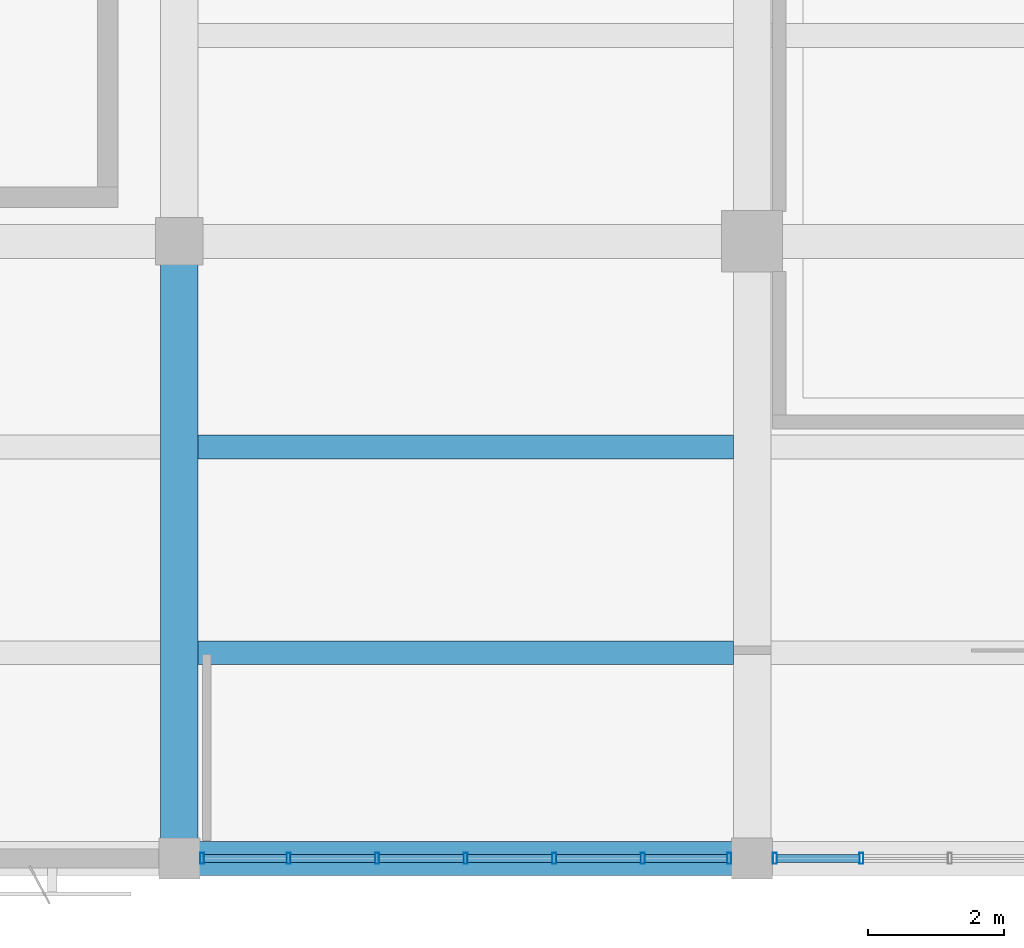
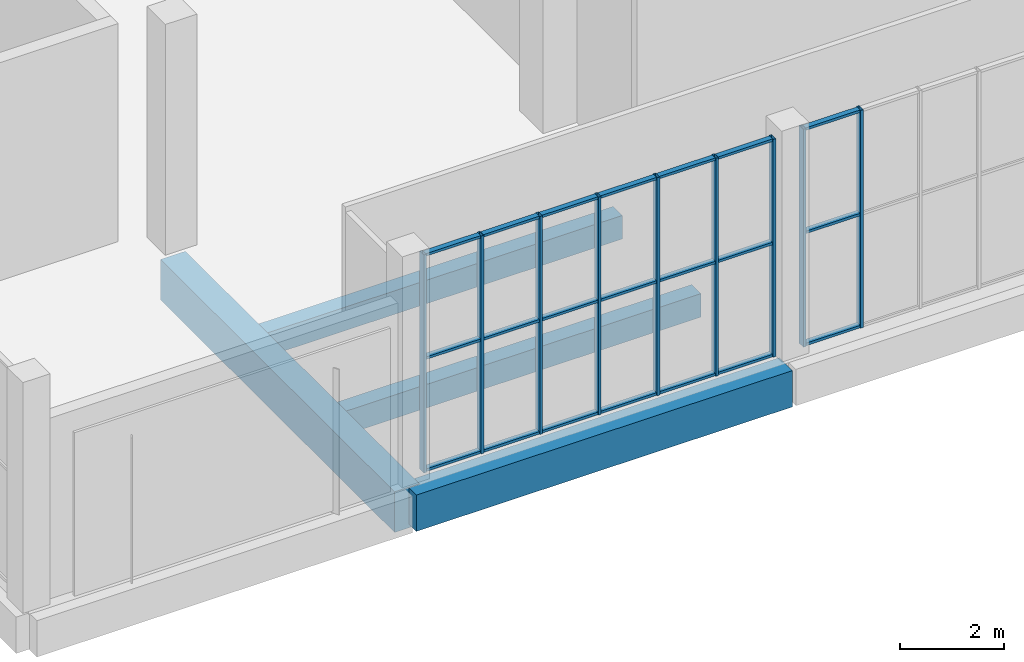
# One storey, part 7 of 132: 30 members, 4 beams, 2 elements without a shape of their own.
"""IFC4 building model written with IfcOpenShell, lengths in metres."""

from ifc_helpers import new_model, si_unit, direction, frame, origin, origin_2d, place, context, subcontext, project, spatial, rectangle, hollow_rectangle, extrude, material, material_profile, profile_set, type_object, element, aggregate, save


model = new_model("IFC4")

# Units and contexts
model_context = context("Model", 3, precision=1e-05, world=origin(), true_north=direction((0.0, 1.0)))
body_context = subcontext(model_context, "Body", "Model", "MODEL_VIEW")
ifc_project = project(units=[si_unit("LENGTHUNIT", "METRE"), si_unit("AREAUNIT", "SQUARE_METRE"), si_unit("VOLUMEUNIT", "CUBIC_METRE"), si_unit("PLANEANGLEUNIT", "RADIAN"), si_unit("MASSUNIT", "GRAM", prefix="KILO")], contexts=[model_context])

# Site, building, storey
site_placement = place(None, origin())
site = spatial("IfcSite", under=ifc_project, at=site_placement, CompositionType="ELEMENT")
building_placement = place(site_placement, origin())
building = spatial("IfcBuilding", under=site, at=building_placement, Name="Khurvash Pelagic Aquarium", CompositionType="ELEMENT")
storey_placement = place(building_placement, frame((0.0, 0.0, 5.39990234375)))
storey = spatial("IfcBuildingStorey", under=building, at=storey_placement, Name="L01", CompositionType="ELEMENT", Elevation=5.39990234375)

# Beam
ifc_material_1 = material(Name="Concrete C40/50", Category="concrete")
ifc_material_profile_1 = material_profile(ifc_material_1, rectangle(XDim=0.550048828125, YDim=0.949951171875, at=origin_2d()), Name="RC550X950")
ifc_profile_set_1 = profile_set([ifc_material_profile_1], Name="Concrete C40/50")
beam_type_1 = type_object("IfcBeamType", Name="BM-02", PredefinedType="BEAM", material=ifc_profile_set_1)
beam_1_placement = place(storey_placement, frame((33.60009765625, 2.639892578125, -0.784912109375), z_axis=(0.0, 1.0, 0.0), x_axis=(-1.0, 0.0, 0.0)))
element("IfcBeam", 1, at=beam_1_placement, inside=storey, type_object=beam_type_1, Name="L01 Primary Girder BM-02 00369", PredefinedType="BEAM", context=body_context, shape_type="SweptSolid", body=[
    extrude(rectangle(XDim=0.550048828125, YDim=0.949951171875, at=origin_2d()), origin(), (0.0, 0.0, 1.0), 8.97021484375),
])

# Curtain wall, members
ifc_material_2 = material(Name="Anodised aluminium and low-E laminated glass", Category="aluminium")
curtain_wall_type = type_object("IfcCurtainWallType", Name="CW-05", PredefinedType="USERDEFINED", material=ifc_material_2)
curtain_wall_1_placement = place(storey_placement, origin())
curtain_wall_1 = element("IfcCurtainWall", 2, at=curtain_wall_1_placement, inside=storey, type_object=curtain_wall_type, Name="L01 Facade Unitised Curtain Wall CW-05 0102", ObjectType="UNITISED CURTAIN WALL", PredefinedType="USERDEFINED")
ifc_material_3 = material(Name="Extruded aluminium AW-6063-T6", Category="aluminium")
ifc_material_profile_2 = material_profile(ifc_material_3, hollow_rectangle(XDim=0.06005859375, YDim=0.159912109375, WallThickness=0.00390625, at=origin_2d()), Name="CWM60X160X4")
ifc_profile_set_2 = profile_set([ifc_material_profile_2], Name="Extruded aluminium AW-6063-T6")
member_type_1 = type_object("IfcMemberType", Name="CM-02", PredefinedType="MULLION", material=ifc_profile_set_2)
member_1_placement = place(storey_placement, frame((33.93505859375, 2.60009765625, 0.0), z_axis=(0.0, 0.0, 1.0), x_axis=(1.0, 0.0, 0.0)))
member_1 = element("IfcMember", 3, at=member_1_placement, type_object=member_type_1, Name="CW-05 mullion 1", PredefinedType="MULLION", context=body_context, shape_type="SweptSolid", body=[
    extrude(hollow_rectangle(XDim=0.06005859375, YDim=0.159912109375, WallThickness=0.00390625, at=origin_2d()), origin(), (0.0, 0.0, 1.0), 5.10009765625),
])
member_2_placement = place(storey_placement, frame((35.203369140625, 2.60009765625, 0.0), z_axis=(0.0, 0.0, 1.0), x_axis=(1.0, 0.0, 0.0)))
member_2 = element("IfcMember", 4, at=member_2_placement, type_object=member_type_1, Name="CW-05 mullion 2", PredefinedType="MULLION", context=body_context, shape_type="SweptSolid", body=[
    extrude(hollow_rectangle(XDim=0.06005859375, YDim=0.159912109375, WallThickness=0.00390625, at=origin_2d()), origin(), (0.0, 0.0, 1.0), 5.10009765625),
])
member_3_placement = place(storey_placement, frame((36.501708984375, 2.60009765625, 0.0), z_axis=(0.0, 0.0, 1.0), x_axis=(1.0, 0.0, 0.0)))
member_3 = element("IfcMember", 5, at=member_3_placement, type_object=member_type_1, Name="CW-05 mullion 3", PredefinedType="MULLION", context=body_context, shape_type="SweptSolid", body=[
    extrude(hollow_rectangle(XDim=0.06005859375, YDim=0.159912109375, WallThickness=0.00390625, at=origin_2d()), origin(), (0.0, 0.0, 1.0), 5.10009765625),
])
member_4_placement = place(storey_placement, frame((37.800048828125, 2.60009765625, 0.0), z_axis=(0.0, 0.0, 1.0), x_axis=(1.0, 0.0, 0.0)))
member_4 = element("IfcMember", 6, at=member_4_placement, type_object=member_type_1, Name="CW-05 mullion 4", PredefinedType="MULLION", context=body_context, shape_type="SweptSolid", body=[
    extrude(hollow_rectangle(XDim=0.06005859375, YDim=0.159912109375, WallThickness=0.00390625, at=origin_2d()), origin(), (0.0, 0.0, 1.0), 5.10009765625),
])
member_5_placement = place(storey_placement, frame((39.098388671875, 2.60009765625, 0.0), z_axis=(0.0, 0.0, 1.0), x_axis=(1.0, 0.0, 0.0)))
member_5 = element("IfcMember", 7, at=member_5_placement, type_object=member_type_1, Name="CW-05 mullion 5", PredefinedType="MULLION", context=body_context, shape_type="SweptSolid", body=[
    extrude(hollow_rectangle(XDim=0.06005859375, YDim=0.159912109375, WallThickness=0.00390625, at=origin_2d()), origin(), (0.0, 0.0, 1.0), 5.10009765625),
])
member_6_placement = place(storey_placement, frame((40.396728515625, 2.60009765625, 0.0), z_axis=(0.0, 0.0, 1.0), x_axis=(1.0, 0.0, 0.0)))
member_6 = element("IfcMember", 8, at=member_6_placement, type_object=member_type_1, Name="CW-05 mullion 6", PredefinedType="MULLION", context=body_context, shape_type="SweptSolid", body=[
    extrude(hollow_rectangle(XDim=0.06005859375, YDim=0.159912109375, WallThickness=0.00390625, at=origin_2d()), origin(), (0.0, 0.0, 1.0), 5.10009765625),
])
member_7_placement = place(storey_placement, frame((41.6650390625, 2.60009765625, 0.0), z_axis=(0.0, 0.0, 1.0), x_axis=(1.0, 0.0, 0.0)))
member_7 = element("IfcMember", 9, at=member_7_placement, type_object=member_type_1, Name="CW-05 mullion 7", PredefinedType="MULLION", context=body_context, shape_type="SweptSolid", body=[
    extrude(hollow_rectangle(XDim=0.06005859375, YDim=0.159912109375, WallThickness=0.00390625, at=origin_2d()), origin(), (0.0, 0.0, 1.0), 5.10009765625),
])

curtain_wall_2_placement = place(storey_placement, origin())
curtain_wall_2 = element("IfcCurtainWall", 10, at=curtain_wall_2_placement, inside=storey, type_object=curtain_wall_type, Name="L01 Facade Unitised Curtain Wall CW-05 0103", ObjectType="UNITISED CURTAIN WALL", PredefinedType="USERDEFINED")
member_8_placement = place(storey_placement, frame((42.3349609375, 2.60009765625, 0.0), z_axis=(0.0, 0.0, 1.0), x_axis=(1.0, 0.0, 0.0)))
member_8 = element("IfcMember", 11, at=member_8_placement, type_object=member_type_1, Name="CW-05 mullion 1", PredefinedType="MULLION", context=body_context, shape_type="SweptSolid", body=[
    extrude(hollow_rectangle(XDim=0.06005859375, YDim=0.159912109375, WallThickness=0.00390625, at=origin_2d()), origin(), (0.0, 0.0, 1.0), 5.10009765625),
])
member_9_placement = place(storey_placement, frame((43.603271484375, 2.60009765625, 0.0), z_axis=(0.0, 0.0, 1.0), x_axis=(1.0, 0.0, 0.0)))
member_9 = element("IfcMember", 12, at=member_9_placement, type_object=member_type_1, Name="CW-05 mullion 2", PredefinedType="MULLION", context=body_context, shape_type="SweptSolid", body=[
    extrude(hollow_rectangle(XDim=0.06005859375, YDim=0.159912109375, WallThickness=0.00390625, at=origin_2d()), origin(), (0.0, 0.0, 1.0), 5.10009765625),
])

# Member
ifc_material_profile_3 = material_profile(ifc_material_3, hollow_rectangle(XDim=0.1201171875, YDim=0.06005859375, WallThickness=0.00390625, at=origin_2d()), Name="CWT120X60X4")
ifc_profile_set_3 = profile_set([ifc_material_profile_3], Name="Extruded aluminium AW-6063-T6")
member_type_2 = type_object("IfcMemberType", Name="CT-02", PredefinedType="USERDEFINED", material=ifc_profile_set_3)
member_10_placement = place(storey_placement, frame((33.965087890625, 2.60009765625, 0.030029296875), z_axis=(1.0, 0.0, 0.0), x_axis=(0.0, 1.0, 0.0)))
member_10 = element("IfcMember", 13, at=member_10_placement, type_object=member_type_2, Name="CW-05 transom 1.1", ObjectType="TRANSOM", PredefinedType="USERDEFINED", context=body_context, shape_type="SweptSolid", body=[
    extrude(hollow_rectangle(XDim=0.1201171875, YDim=0.06005859375, WallThickness=0.00390625, at=origin_2d()), origin(), (0.0, 0.0, 1.0), 1.208251953125),
])

member_11_placement = place(storey_placement, frame((33.965087890625, 2.60009765625, 2.652099609375), z_axis=(1.0, 0.0, 0.0), x_axis=(0.0, 1.0, 0.0)))
member_11 = element("IfcMember", 14, at=member_11_placement, type_object=member_type_2, Name="CW-05 transom 1.2", ObjectType="TRANSOM", PredefinedType="USERDEFINED", context=body_context, shape_type="SweptSolid", body=[
    extrude(hollow_rectangle(XDim=0.1201171875, YDim=0.06005859375, WallThickness=0.00390625, at=origin_2d()), origin(), (0.0, 0.0, 1.0), 1.208251953125),
])

member_12_placement = place(storey_placement, frame((33.965087890625, 2.60009765625, 5.070068359375), z_axis=(1.0, 0.0, 0.0), x_axis=(0.0, 1.0, 0.0)))
member_12 = element("IfcMember", 15, at=member_12_placement, type_object=member_type_2, Name="CW-05 transom 1.3", ObjectType="TRANSOM", PredefinedType="USERDEFINED", context=body_context, shape_type="SweptSolid", body=[
    extrude(hollow_rectangle(XDim=0.1201171875, YDim=0.06005859375, WallThickness=0.00390625, at=origin_2d()), origin(), (0.0, 0.0, 1.0), 1.208251953125),
])

member_13_placement = place(storey_placement, frame((35.2333984375, 2.60009765625, 0.030029296875), z_axis=(1.0, 0.0, 0.0), x_axis=(0.0, 1.0, 0.0)))
member_13 = element("IfcMember", 16, at=member_13_placement, type_object=member_type_2, Name="CW-05 transom 2.1", ObjectType="TRANSOM", PredefinedType="USERDEFINED", context=body_context, shape_type="SweptSolid", body=[
    extrude(hollow_rectangle(XDim=0.1201171875, YDim=0.06005859375, WallThickness=0.00390625, at=origin_2d()), origin(), (0.0, 0.0, 1.0), 1.23828125),
])

member_14_placement = place(storey_placement, frame((35.2333984375, 2.60009765625, 2.652099609375), z_axis=(1.0, 0.0, 0.0), x_axis=(0.0, 1.0, 0.0)))
member_14 = element("IfcMember", 17, at=member_14_placement, type_object=member_type_2, Name="CW-05 transom 2.2", ObjectType="TRANSOM", PredefinedType="USERDEFINED", context=body_context, shape_type="SweptSolid", body=[
    extrude(hollow_rectangle(XDim=0.1201171875, YDim=0.06005859375, WallThickness=0.00390625, at=origin_2d()), origin(), (0.0, 0.0, 1.0), 1.23828125),
])

member_15_placement = place(storey_placement, frame((35.2333984375, 2.60009765625, 5.070068359375), z_axis=(1.0, 0.0, 0.0), x_axis=(0.0, 1.0, 0.0)))
member_15 = element("IfcMember", 18, at=member_15_placement, type_object=member_type_2, Name="CW-05 transom 2.3", ObjectType="TRANSOM", PredefinedType="USERDEFINED", context=body_context, shape_type="SweptSolid", body=[
    extrude(hollow_rectangle(XDim=0.1201171875, YDim=0.06005859375, WallThickness=0.00390625, at=origin_2d()), origin(), (0.0, 0.0, 1.0), 1.23828125),
])

member_16_placement = place(storey_placement, frame((36.53173828125, 2.60009765625, 0.030029296875), z_axis=(1.0, 0.0, 0.0), x_axis=(0.0, 1.0, 0.0)))
member_16 = element("IfcMember", 19, at=member_16_placement, type_object=member_type_2, Name="CW-05 transom 3.1", ObjectType="TRANSOM", PredefinedType="USERDEFINED", context=body_context, shape_type="SweptSolid", body=[
    extrude(hollow_rectangle(XDim=0.1201171875, YDim=0.06005859375, WallThickness=0.00390625, at=origin_2d()), origin(), (0.0, 0.0, 1.0), 1.23828125),
])

member_17_placement = place(storey_placement, frame((36.53173828125, 2.60009765625, 2.652099609375), z_axis=(1.0, 0.0, 0.0), x_axis=(0.0, 1.0, 0.0)))
member_17 = element("IfcMember", 20, at=member_17_placement, type_object=member_type_2, Name="CW-05 transom 3.2", ObjectType="TRANSOM", PredefinedType="USERDEFINED", context=body_context, shape_type="SweptSolid", body=[
    extrude(hollow_rectangle(XDim=0.1201171875, YDim=0.06005859375, WallThickness=0.00390625, at=origin_2d()), origin(), (0.0, 0.0, 1.0), 1.23828125),
])

member_18_placement = place(storey_placement, frame((36.53173828125, 2.60009765625, 5.070068359375), z_axis=(1.0, 0.0, 0.0), x_axis=(0.0, 1.0, 0.0)))
member_18 = element("IfcMember", 21, at=member_18_placement, type_object=member_type_2, Name="CW-05 transom 3.3", ObjectType="TRANSOM", PredefinedType="USERDEFINED", context=body_context, shape_type="SweptSolid", body=[
    extrude(hollow_rectangle(XDim=0.1201171875, YDim=0.06005859375, WallThickness=0.00390625, at=origin_2d()), origin(), (0.0, 0.0, 1.0), 1.23828125),
])

member_19_placement = place(storey_placement, frame((37.830078125, 2.60009765625, 0.030029296875), z_axis=(1.0, 0.0, 0.0), x_axis=(0.0, 1.0, 0.0)))
member_19 = element("IfcMember", 22, at=member_19_placement, type_object=member_type_2, Name="CW-05 transom 4.1", ObjectType="TRANSOM", PredefinedType="USERDEFINED", context=body_context, shape_type="SweptSolid", body=[
    extrude(hollow_rectangle(XDim=0.1201171875, YDim=0.06005859375, WallThickness=0.00390625, at=origin_2d()), origin(), (0.0, 0.0, 1.0), 1.23828125),
])

member_20_placement = place(storey_placement, frame((37.830078125, 2.60009765625, 2.652099609375), z_axis=(1.0, 0.0, 0.0), x_axis=(0.0, 1.0, 0.0)))
member_20 = element("IfcMember", 23, at=member_20_placement, type_object=member_type_2, Name="CW-05 transom 4.2", ObjectType="TRANSOM", PredefinedType="USERDEFINED", context=body_context, shape_type="SweptSolid", body=[
    extrude(hollow_rectangle(XDim=0.1201171875, YDim=0.06005859375, WallThickness=0.00390625, at=origin_2d()), origin(), (0.0, 0.0, 1.0), 1.23828125),
])

member_21_placement = place(storey_placement, frame((37.830078125, 2.60009765625, 5.070068359375), z_axis=(1.0, 0.0, 0.0), x_axis=(0.0, 1.0, 0.0)))
member_21 = element("IfcMember", 24, at=member_21_placement, type_object=member_type_2, Name="CW-05 transom 4.3", ObjectType="TRANSOM", PredefinedType="USERDEFINED", context=body_context, shape_type="SweptSolid", body=[
    extrude(hollow_rectangle(XDim=0.1201171875, YDim=0.06005859375, WallThickness=0.00390625, at=origin_2d()), origin(), (0.0, 0.0, 1.0), 1.23828125),
])

member_22_placement = place(storey_placement, frame((39.12841796875, 2.60009765625, 0.030029296875), z_axis=(1.0, 0.0, 0.0), x_axis=(0.0, 1.0, 0.0)))
member_22 = element("IfcMember", 25, at=member_22_placement, type_object=member_type_2, Name="CW-05 transom 5.1", ObjectType="TRANSOM", PredefinedType="USERDEFINED", context=body_context, shape_type="SweptSolid", body=[
    extrude(hollow_rectangle(XDim=0.1201171875, YDim=0.06005859375, WallThickness=0.00390625, at=origin_2d()), origin(), (0.0, 0.0, 1.0), 1.23828125),
])

member_23_placement = place(storey_placement, frame((39.12841796875, 2.60009765625, 2.652099609375), z_axis=(1.0, 0.0, 0.0), x_axis=(0.0, 1.0, 0.0)))
member_23 = element("IfcMember", 26, at=member_23_placement, type_object=member_type_2, Name="CW-05 transom 5.2", ObjectType="TRANSOM", PredefinedType="USERDEFINED", context=body_context, shape_type="SweptSolid", body=[
    extrude(hollow_rectangle(XDim=0.1201171875, YDim=0.06005859375, WallThickness=0.00390625, at=origin_2d()), origin(), (0.0, 0.0, 1.0), 1.23828125),
])

member_24_placement = place(storey_placement, frame((39.12841796875, 2.60009765625, 5.070068359375), z_axis=(1.0, 0.0, 0.0), x_axis=(0.0, 1.0, 0.0)))
member_24 = element("IfcMember", 27, at=member_24_placement, type_object=member_type_2, Name="CW-05 transom 5.3", ObjectType="TRANSOM", PredefinedType="USERDEFINED", context=body_context, shape_type="SweptSolid", body=[
    extrude(hollow_rectangle(XDim=0.1201171875, YDim=0.06005859375, WallThickness=0.00390625, at=origin_2d()), origin(), (0.0, 0.0, 1.0), 1.23828125),
])

member_25_placement = place(storey_placement, frame((40.4267578125, 2.60009765625, 0.030029296875), z_axis=(1.0, 0.0, 0.0), x_axis=(0.0, 1.0, 0.0)))
member_25 = element("IfcMember", 28, at=member_25_placement, type_object=member_type_2, Name="CW-05 transom 6.1", ObjectType="TRANSOM", PredefinedType="USERDEFINED", context=body_context, shape_type="SweptSolid", body=[
    extrude(hollow_rectangle(XDim=0.1201171875, YDim=0.06005859375, WallThickness=0.00390625, at=origin_2d()), origin(), (0.0, 0.0, 1.0), 1.208251953125),
])

member_26_placement = place(storey_placement, frame((40.4267578125, 2.60009765625, 2.652099609375), z_axis=(1.0, 0.0, 0.0), x_axis=(0.0, 1.0, 0.0)))
member_26 = element("IfcMember", 29, at=member_26_placement, type_object=member_type_2, Name="CW-05 transom 6.2", ObjectType="TRANSOM", PredefinedType="USERDEFINED", context=body_context, shape_type="SweptSolid", body=[
    extrude(hollow_rectangle(XDim=0.1201171875, YDim=0.06005859375, WallThickness=0.00390625, at=origin_2d()), origin(), (0.0, 0.0, 1.0), 1.208251953125),
])

member_27_placement = place(storey_placement, frame((40.4267578125, 2.60009765625, 5.070068359375), z_axis=(1.0, 0.0, 0.0), x_axis=(0.0, 1.0, 0.0)))
member_27 = element("IfcMember", 30, at=member_27_placement, type_object=member_type_2, Name="CW-05 transom 6.3", ObjectType="TRANSOM", PredefinedType="USERDEFINED", context=body_context, shape_type="SweptSolid", body=[
    extrude(hollow_rectangle(XDim=0.1201171875, YDim=0.06005859375, WallThickness=0.00390625, at=origin_2d()), origin(), (0.0, 0.0, 1.0), 1.208251953125),
])

aggregate(curtain_wall_1, [member_1, member_2, member_3, member_4, member_5, member_6, member_7, member_10, member_11, member_12, member_13, member_14, member_15, member_16, member_17, member_18, member_19, member_20, member_21, member_22, member_23, member_24, member_25, member_26, member_27])

member_28_placement = place(storey_placement, frame((42.364990234375, 2.60009765625, 0.030029296875), z_axis=(1.0, 0.0, 0.0), x_axis=(0.0, 1.0, 0.0)))
member_28 = element("IfcMember", 31, at=member_28_placement, type_object=member_type_2, Name="CW-05 transom 1.1", ObjectType="TRANSOM", PredefinedType="USERDEFINED", context=body_context, shape_type="SweptSolid", body=[
    extrude(hollow_rectangle(XDim=0.1201171875, YDim=0.06005859375, WallThickness=0.00390625, at=origin_2d()), origin(), (0.0, 0.0, 1.0), 1.208251953125),
])

member_29_placement = place(storey_placement, frame((42.364990234375, 2.60009765625, 2.652099609375), z_axis=(1.0, 0.0, 0.0), x_axis=(0.0, 1.0, 0.0)))
member_29 = element("IfcMember", 32, at=member_29_placement, type_object=member_type_2, Name="CW-05 transom 1.2", ObjectType="TRANSOM", PredefinedType="USERDEFINED", context=body_context, shape_type="SweptSolid", body=[
    extrude(hollow_rectangle(XDim=0.1201171875, YDim=0.06005859375, WallThickness=0.00390625, at=origin_2d()), origin(), (0.0, 0.0, 1.0), 1.208251953125),
])

member_30_placement = place(storey_placement, frame((42.364990234375, 2.60009765625, 5.070068359375), z_axis=(1.0, 0.0, 0.0), x_axis=(0.0, 1.0, 0.0)))
member_30 = element("IfcMember", 33, at=member_30_placement, type_object=member_type_2, Name="CW-05 transom 1.3", ObjectType="TRANSOM", PredefinedType="USERDEFINED", context=body_context, shape_type="SweptSolid", body=[
    extrude(hollow_rectangle(XDim=0.1201171875, YDim=0.06005859375, WallThickness=0.00390625, at=origin_2d()), origin(), (0.0, 0.0, 1.0), 1.208251953125),
])

aggregate(curtain_wall_2, [member_8, member_9, member_28, member_29, member_30])

# Beams
ifc_material_4 = material(Name="Concrete C35/45", Category="concrete")
ifc_material_profile_4 = material_profile(ifc_material_4, rectangle(XDim=0.35009765625, YDim=0.550048828125, at=origin_2d()), Name="RC350X550")
ifc_profile_set_4 = profile_set([ifc_material_profile_4], Name="Concrete C35/45")
beam_type_2 = type_object("IfcBeamType", Name="JS-01", PredefinedType="JOIST", material=ifc_profile_set_4)
for number, where, z_axis, x_axis, name in (
    (34, (33.875, 5.616943359375, -0.5849609375), (1.0, 0.0, 0.0), (0.0, 1.0, 0.0), "L01 Floor Joist JS-01 00476"),
    (35, (33.875, 8.633056640625, -0.5849609375), (1.0, 0.0, 0.0), (0.0, 1.0, 0.0), "L01 Floor Joist JS-01 00477"),
):
    element("IfcBeam", number, at=place(storey_placement, frame(where, z_axis=z_axis, x_axis=x_axis)), inside=storey, type_object=beam_type_2, Name=name, PredefinedType="JOIST", context=body_context, shape_type="SweptSolid", body=[
        extrude(rectangle(XDim=0.35009765625, YDim=0.550048828125, at=origin_2d()), origin(), (0.0, 0.0, 1.0), 7.85009765625),
    ])
ifc_material_profile_5 = material_profile(ifc_material_1, rectangle(XDim=0.5, YDim=0.85009765625, at=origin_2d()), Name="RC500X850")
ifc_profile_set_5 = profile_set([ifc_material_profile_5], Name="Concrete C40/50")
beam_type_3 = type_object("IfcBeamType", Name="SEB-03", PredefinedType="SPANDREL", material=ifc_profile_set_5)
beam_2_placement = place(storey_placement, frame((33.639892578125, 2.60009765625, -0.744873046875), z_axis=(1.0, 0.0, 0.0), x_axis=(0.0, 1.0, 0.0)))
element("IfcBeam", 36, at=beam_2_placement, inside=storey, type_object=beam_type_3, Name="L01 Primary Girder SEB-03 00242", PredefinedType="SPANDREL", context=body_context, shape_type="SweptSolid", body=[
    extrude(rectangle(XDim=0.5, YDim=0.85009765625, at=origin_2d()), origin(), (0.0, 0.0, 1.0), 8.320068359375),
])

save(model, "model.ifc")
